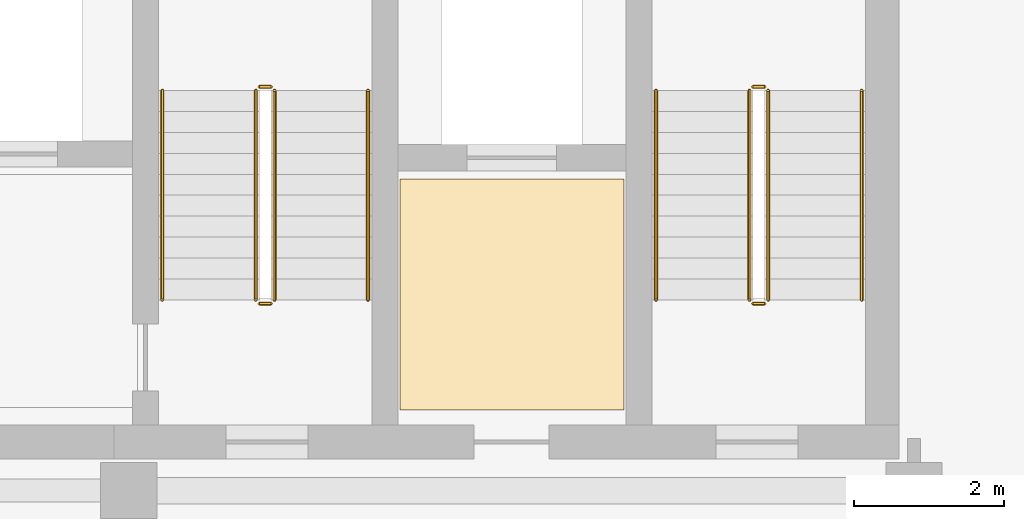
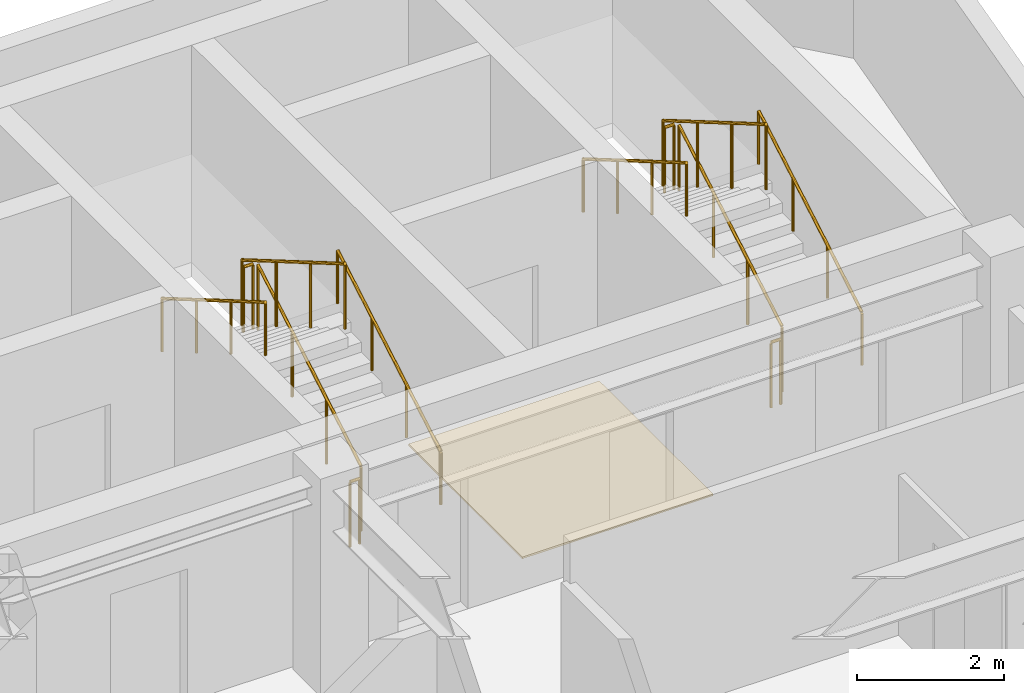
# One storey, part 20 of 20: 12 railings, 1 covering.
"""IFC4 building model written with IfcOpenShell, lengths in metres."""

from ifc_helpers import new_model, si_unit, direction, frame, origin, origin_2d, place, context, subcontext, project, spatial, polyline, circle, outline, extrude, material, layer, layer_set, type_object, element, save


model = new_model("IFC4")

# Units and contexts
model_context = context("Model", 3, precision=1e-05, world=origin(), true_north=direction((0.0, 1.0)))
body_context = subcontext(model_context, "Body", "Model", "MODEL_VIEW")
ifc_project = project(units=[si_unit("LENGTHUNIT", "METRE"), si_unit("AREAUNIT", "SQUARE_METRE"), si_unit("VOLUMEUNIT", "CUBIC_METRE"), si_unit("PLANEANGLEUNIT", "RADIAN"), si_unit("MASSUNIT", "GRAM", prefix="KILO")], contexts=[model_context])

# Site, building, storey
site_placement = place(None, origin())
site = spatial("IfcSite", under=ifc_project, at=site_placement, CompositionType="ELEMENT")
building_placement = place(site_placement, origin())
building = spatial("IfcBuilding", under=site, at=building_placement, Name="Kravanh Interchange Tower", CompositionType="ELEMENT")
storey_placement = place(building_placement, frame((0.0, 0.0, 241.800048828125)))
storey = spatial("IfcBuildingStorey", under=building, at=storey_placement, Name="L58", CompositionType="ELEMENT", Elevation=241.800048828125)

# Covering
ifc_material_1 = material(Name="Cementitious Terrazzo Tile")
ifc_layer_1 = layer(ifc_material_1, 0.030029296875)
ifc_layer_set_1 = layer_set([ifc_layer_1], Name="Honed Terrazzo Lobby Flooring 30mm")
covering_type = type_object("IfcCoveringType", Name="Honed Terrazzo Lobby Flooring 30mm", PredefinedType="FLOORING", material=ifc_layer_set_1)
covering_placement = place(storey_placement, origin())
element("IfcCovering", 1, at=covering_placement, inside=storey, type_object=covering_type, Name="L58 Service Lift Lobby Floor Finish", PredefinedType="FLOORING", context=body_context, shape_type="SweptSolid", body=[
    extrude(outline(polyline([(59.6298828125, 41.52001953125), (62.6201171875, 41.52001953125), (62.6201171875, 38.429931640625), (59.6298828125, 38.429931640625), (59.6298828125, 41.52001953125)])), origin(), (0.0, 0.0, 1.0), 0.030029296875),
])

# Railings
ifc_material_2 = material(Name="Structural Steel S355", Category="steel")
ifc_layer_2 = layer(ifc_material_2, 0.050048828125)
ifc_layer_set_2 = layer_set([ifc_layer_2], Name="Stair Well Guardrail Structural Steel S355 1100mm")
railing_type_1 = type_object("IfcRailingType", Name="Stair Well Guardrail Structural Steel S355 1100mm", PredefinedType="GUARDRAIL", material=ifc_layer_set_2)
railing_1_placement = place(storey_placement, frame((64.550048828125, 39.89990234375, 0.16357421875)))
element("IfcRailing", 2, at=railing_1_placement, inside=storey, type_object=railing_type_1, Name="L58 ST1 stair guard 1", PredefinedType="GUARDRAIL", context=body_context, shape_type="SweptSolid", body=[
    extrude(circle(Radius=0.02392578125, at=origin_2d()), frame((0.0, 0.0, 1.076171875), z_axis=(0.0, 0.863360870873, 0.504586966384), x_axis=(-1.0, 0.0, 0.0)), (0.0, 0.0, 1.0), 3.2431640625),
    extrude(circle(Radius=0.02099609375, at=origin_2d()), origin(), (0.0, 0.0, 1.0), 1.052001953125),
    extrude(circle(Radius=0.02099609375, at=origin_2d()), frame((0.0, 0.933349609375, 0.54541015625)), (0.0, 0.0, 1.0), 1.052001953125),
    extrude(circle(Radius=0.02099609375, at=origin_2d()), frame((0.0, 1.86669921875, 1.091064453125)), (0.0, 0.0, 1.0), 1.052001953125),
    extrude(circle(Radius=0.02099609375, at=origin_2d()), frame((0.0, 2.800048828125, 1.636474609375)), (0.0, 0.0, 1.0), 1.052001953125),
])
railing_2_placement = place(storey_placement, frame((64.5, 42.75, 1.800048828125)))
element("IfcRailing", 3, at=railing_2_placement, inside=storey, type_object=railing_type_1, Name="L58 ST1 stair guard 2", PredefinedType="GUARDRAIL", context=body_context, shape_type="SweptSolid", body=[
    extrude(circle(Radius=0.02392578125, at=origin_2d()), frame((0.0, 0.0, 1.076171875), z_axis=(-1.0, 0.0, 0.0), x_axis=(0.0, -1.0, 0.0)), (0.0, 0.0, 1.0), 0.14990234375),
    extrude(circle(Radius=0.02099609375, at=origin_2d()), origin(), (0.0, 0.0, 1.0), 1.052001953125),
    extrude(circle(Radius=0.02099609375, at=origin_2d()), frame((-0.14990234375, 0.0, 0.0)), (0.0, 0.0, 1.0), 1.052001953125),
])
railing_3_placement = place(storey_placement, frame((64.300048828125, 42.699951171875, 1.963623046875)))
element("IfcRailing", 4, at=railing_3_placement, inside=storey, type_object=railing_type_1, Name="L58 ST1 stair guard 3", PredefinedType="GUARDRAIL", context=body_context, shape_type="SweptSolid", body=[
    extrude(circle(Radius=0.02392578125, at=origin_2d()), frame((0.0, 0.0, 1.076171875), z_axis=(0.0, -0.863393664356, 0.504530851732), x_axis=(1.0, 0.0, 0.0)), (0.0, 0.0, 1.0), 3.2431640625),
    extrude(circle(Radius=0.02099609375, at=origin_2d()), origin(), (0.0, 0.0, 1.0), 1.052001953125),
    extrude(circle(Radius=0.02099609375, at=origin_2d()), frame((0.0, -0.933349609375, 0.54541015625)), (0.0, 0.0, 1.0), 1.052001953125),
    extrude(circle(Radius=0.02099609375, at=origin_2d()), frame((0.0, -1.86669921875, 1.0908203125)), (0.0, 0.0, 1.0), 1.052001953125),
    extrude(circle(Radius=0.02099609375, at=origin_2d()), frame((0.0, -2.800048828125, 1.63623046875)), (0.0, 0.0, 1.0), 1.052001953125),
])
railing_4_placement = place(storey_placement, frame((64.5, 39.85009765625, 0.0)))
element("IfcRailing", 5, at=railing_4_placement, inside=storey, type_object=railing_type_1, Name="L58 ST1 stair guard 4", PredefinedType="GUARDRAIL", context=body_context, shape_type="SweptSolid", body=[
    extrude(circle(Radius=0.02392578125, at=origin_2d()), frame((0.0, 0.0, 1.076171875), z_axis=(-1.0, 0.0, 0.0), x_axis=(0.0, -1.0, 0.0)), (0.0, 0.0, 1.0), 0.14990234375),
    extrude(circle(Radius=0.02099609375, at=origin_2d()), origin(), (0.0, 0.0, 1.0), 1.052001953125),
    extrude(circle(Radius=0.02099609375, at=origin_2d()), frame((-0.14990234375, 0.0, 0.0)), (0.0, 0.0, 1.0), 1.052001953125),
])
railing_5_placement = place(storey_placement, frame((57.949951171875, 39.89990234375, 0.16357421875)))
element("IfcRailing", 6, at=railing_5_placement, inside=storey, type_object=railing_type_1, Name="L58 ST2 stair guard 1", PredefinedType="GUARDRAIL", context=body_context, shape_type="SweptSolid", body=[
    extrude(circle(Radius=0.02392578125, at=origin_2d()), frame((0.0, 0.0, 1.076171875), z_axis=(0.0, 0.863360870873, 0.504586966384), x_axis=(-1.0, 0.0, 0.0)), (0.0, 0.0, 1.0), 3.2431640625),
    extrude(circle(Radius=0.02099609375, at=origin_2d()), origin(), (0.0, 0.0, 1.0), 1.052001953125),
    extrude(circle(Radius=0.02099609375, at=origin_2d()), frame((0.0, 0.933349609375, 0.54541015625)), (0.0, 0.0, 1.0), 1.052001953125),
    extrude(circle(Radius=0.02099609375, at=origin_2d()), frame((0.0, 1.86669921875, 1.091064453125)), (0.0, 0.0, 1.0), 1.052001953125),
    extrude(circle(Radius=0.02099609375, at=origin_2d()), frame((0.0, 2.800048828125, 1.636474609375)), (0.0, 0.0, 1.0), 1.052001953125),
])
railing_6_placement = place(storey_placement, frame((57.89990234375, 42.75, 1.800048828125)))
element("IfcRailing", 7, at=railing_6_placement, inside=storey, type_object=railing_type_1, Name="L58 ST2 stair guard 2", PredefinedType="GUARDRAIL", context=body_context, shape_type="SweptSolid", body=[
    extrude(circle(Radius=0.02392578125, at=origin_2d()), frame((0.0, 0.0, 1.076171875), z_axis=(-1.0, 0.0, 0.0), x_axis=(0.0, -1.0, 0.0)), (0.0, 0.0, 1.0), 0.14990234375),
    extrude(circle(Radius=0.02099609375, at=origin_2d()), origin(), (0.0, 0.0, 1.0), 1.052001953125),
    extrude(circle(Radius=0.02099609375, at=origin_2d()), frame((-0.14990234375, 0.0, 0.0)), (0.0, 0.0, 1.0), 1.052001953125),
])
railing_7_placement = place(storey_placement, frame((57.699951171875, 42.699951171875, 1.963623046875)))
element("IfcRailing", 8, at=railing_7_placement, inside=storey, type_object=railing_type_1, Name="L58 ST2 stair guard 3", PredefinedType="GUARDRAIL", context=body_context, shape_type="SweptSolid", body=[
    extrude(circle(Radius=0.02392578125, at=origin_2d()), frame((0.0, 0.0, 1.076171875), z_axis=(0.0, -0.863393664356, 0.504530851732), x_axis=(1.0, 0.0, 0.0)), (0.0, 0.0, 1.0), 3.2431640625),
    extrude(circle(Radius=0.02099609375, at=origin_2d()), origin(), (0.0, 0.0, 1.0), 1.052001953125),
    extrude(circle(Radius=0.02099609375, at=origin_2d()), frame((0.0, -0.933349609375, 0.54541015625)), (0.0, 0.0, 1.0), 1.052001953125),
    extrude(circle(Radius=0.02099609375, at=origin_2d()), frame((0.0, -1.86669921875, 1.0908203125)), (0.0, 0.0, 1.0), 1.052001953125),
    extrude(circle(Radius=0.02099609375, at=origin_2d()), frame((0.0, -2.800048828125, 1.63623046875)), (0.0, 0.0, 1.0), 1.052001953125),
])
railing_8_placement = place(storey_placement, frame((57.89990234375, 39.85009765625, 0.0)))
element("IfcRailing", 9, at=railing_8_placement, inside=storey, type_object=railing_type_1, Name="L58 ST2 stair guard 4", PredefinedType="GUARDRAIL", context=body_context, shape_type="SweptSolid", body=[
    extrude(circle(Radius=0.02392578125, at=origin_2d()), frame((0.0, 0.0, 1.076171875), z_axis=(-1.0, 0.0, 0.0), x_axis=(0.0, -1.0, 0.0)), (0.0, 0.0, 1.0), 0.14990234375),
    extrude(circle(Radius=0.02099609375, at=origin_2d()), origin(), (0.0, 0.0, 1.0), 1.052001953125),
    extrude(circle(Radius=0.02099609375, at=origin_2d()), frame((-0.14990234375, 0.0, 0.0)), (0.0, 0.0, 1.0), 1.052001953125),
])
ifc_material_3 = material(Name="Stainless Steel 304", Category="steel")
ifc_layer_3 = layer(ifc_material_3, 0.044921875)
ifc_layer_set_3 = layer_set([ifc_layer_3], Name="Tubular Stair Handrail Stainless 304 900mm")
railing_type_2 = type_object("IfcRailingType", Name="Tubular Stair Handrail Stainless 304 900mm", PredefinedType="HANDRAIL", material=ifc_layer_set_3)
railing_9_placement = place(storey_placement, frame((65.800048828125, 39.89990234375, 0.16357421875)))
element("IfcRailing", 10, at=railing_9_placement, inside=storey, type_object=railing_type_2, Name="L58 ST1 stair handrail 1", PredefinedType="HANDRAIL", context=body_context, shape_type="SweptSolid", body=[
    extrude(circle(Radius=0.02392578125, at=origin_2d()), frame((0.0, 0.0, 0.8759765625), z_axis=(0.0, 0.863360870873, 0.504586966384), x_axis=(-1.0, 0.0, 0.0)), (0.0, 0.0, 1.0), 3.2431640625),
    extrude(circle(Radius=0.02099609375, at=origin_2d()), origin(), (0.0, 0.0, 1.0), 0.851806640625),
    extrude(circle(Radius=0.02099609375, at=origin_2d()), frame((0.0, 0.933349609375, 0.54541015625)), (0.0, 0.0, 1.0), 0.851806640625),
    extrude(circle(Radius=0.02099609375, at=origin_2d()), frame((0.0, 1.86669921875, 1.091064453125)), (0.0, 0.0, 1.0), 0.851806640625),
    extrude(circle(Radius=0.02099609375, at=origin_2d()), frame((0.0, 2.800048828125, 1.636474609375)), (0.0, 0.0, 1.0), 0.851806640625),
])
railing_10_placement = place(storey_placement, frame((63.050048828125, 42.699951171875, 1.963623046875)))
element("IfcRailing", 11, at=railing_10_placement, inside=storey, type_object=railing_type_2, Name="L58 ST1 stair handrail 2", PredefinedType="HANDRAIL", context=body_context, shape_type="SweptSolid", body=[
    extrude(circle(Radius=0.02392578125, at=origin_2d()), frame((0.0, 0.0, 0.8759765625), z_axis=(0.0, -0.863393664356, 0.504530851732), x_axis=(1.0, 0.0, 0.0)), (0.0, 0.0, 1.0), 3.2431640625),
    extrude(circle(Radius=0.02099609375, at=origin_2d()), origin(), (0.0, 0.0, 1.0), 0.851806640625),
    extrude(circle(Radius=0.02099609375, at=origin_2d()), frame((0.0, -0.933349609375, 0.54541015625)), (0.0, 0.0, 1.0), 0.851806640625),
    extrude(circle(Radius=0.02099609375, at=origin_2d()), frame((0.0, -1.86669921875, 1.0908203125)), (0.0, 0.0, 1.0), 0.851806640625),
    extrude(circle(Radius=0.02099609375, at=origin_2d()), frame((0.0, -2.800048828125, 1.63623046875)), (0.0, 0.0, 1.0), 0.851806640625),
])
railing_11_placement = place(storey_placement, frame((59.199951171875, 39.89990234375, 0.16357421875)))
element("IfcRailing", 12, at=railing_11_placement, inside=storey, type_object=railing_type_2, Name="L58 ST2 stair handrail 1", PredefinedType="HANDRAIL", context=body_context, shape_type="SweptSolid", body=[
    extrude(circle(Radius=0.02392578125, at=origin_2d()), frame((0.0, 0.0, 0.8759765625), z_axis=(0.0, 0.863360870873, 0.504586966384), x_axis=(-1.0, 0.0, 0.0)), (0.0, 0.0, 1.0), 3.2431640625),
    extrude(circle(Radius=0.02099609375, at=origin_2d()), origin(), (0.0, 0.0, 1.0), 0.851806640625),
    extrude(circle(Radius=0.02099609375, at=origin_2d()), frame((0.0, 0.933349609375, 0.54541015625)), (0.0, 0.0, 1.0), 0.851806640625),
    extrude(circle(Radius=0.02099609375, at=origin_2d()), frame((0.0, 1.86669921875, 1.091064453125)), (0.0, 0.0, 1.0), 0.851806640625),
    extrude(circle(Radius=0.02099609375, at=origin_2d()), frame((0.0, 2.800048828125, 1.636474609375)), (0.0, 0.0, 1.0), 0.851806640625),
])
railing_12_placement = place(storey_placement, frame((56.449951171875, 42.699951171875, 1.963623046875)))
element("IfcRailing", 13, at=railing_12_placement, inside=storey, type_object=railing_type_2, Name="L58 ST2 stair handrail 2", PredefinedType="HANDRAIL", context=body_context, shape_type="SweptSolid", body=[
    extrude(circle(Radius=0.02392578125, at=origin_2d()), frame((0.0, 0.0, 0.8759765625), z_axis=(0.0, -0.863393664356, 0.504530851732), x_axis=(1.0, 0.0, 0.0)), (0.0, 0.0, 1.0), 3.2431640625),
    extrude(circle(Radius=0.02099609375, at=origin_2d()), origin(), (0.0, 0.0, 1.0), 0.851806640625),
    extrude(circle(Radius=0.02099609375, at=origin_2d()), frame((0.0, -0.933349609375, 0.54541015625)), (0.0, 0.0, 1.0), 0.851806640625),
    extrude(circle(Radius=0.02099609375, at=origin_2d()), frame((0.0, -1.86669921875, 1.0908203125)), (0.0, 0.0, 1.0), 0.851806640625),
    extrude(circle(Radius=0.02099609375, at=origin_2d()), frame((0.0, -2.800048828125, 1.63623046875)), (0.0, 0.0, 1.0), 0.851806640625),
])

save(model, "model.ifc")
